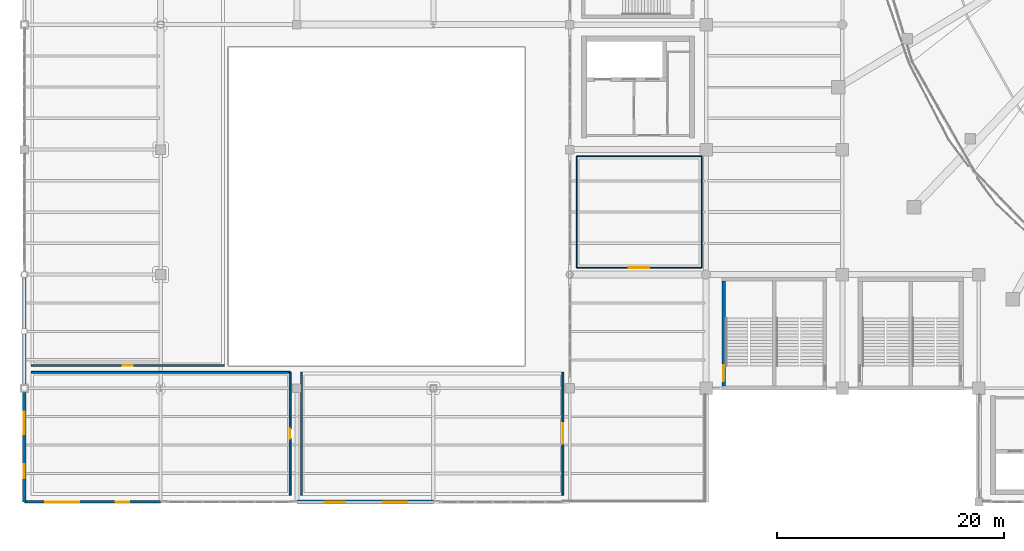
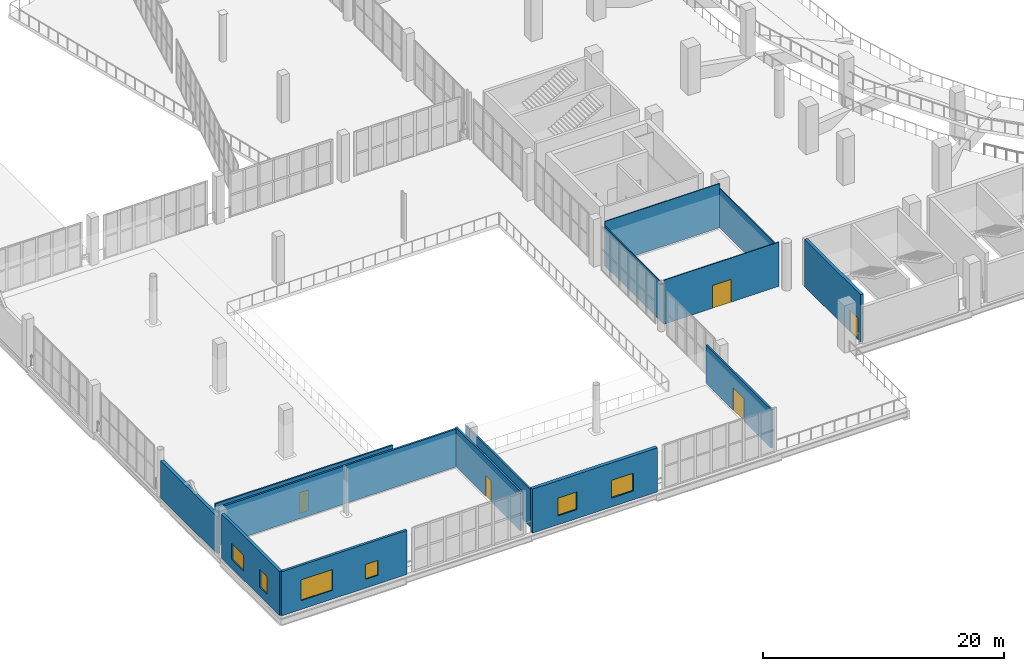
# One storey, part 107 of 136: 14 walls, 6 windows, 5 doors, 11 openings.
"""IFC4 building model written with IfcOpenShell, lengths in metres."""

from ifc_helpers import new_model, si_unit, direction, frame, frame_2d, origin, origin_with_axes, place, context, subcontext, project, spatial, rectangle, extrude, material, layer, layer_set, type_object, element, fill, save


model = new_model("IFC4")

# Units and contexts
model_context = context("Model", 3, precision=1e-05, world=origin(), true_north=direction((0.0, 1.0)))
body_context = subcontext(model_context, "Body", "Model", "MODEL_VIEW")
ifc_project = project(units=[si_unit("LENGTHUNIT", "METRE"), si_unit("AREAUNIT", "SQUARE_METRE"), si_unit("VOLUMEUNIT", "CUBIC_METRE"), si_unit("PLANEANGLEUNIT", "RADIAN"), si_unit("MASSUNIT", "GRAM", prefix="KILO")], contexts=[model_context])

# Site, building, storey
site_placement = place(None, origin())
site = spatial("IfcSite", under=ifc_project, at=site_placement, CompositionType="ELEMENT")
building_placement = place(site_placement, origin())
building = spatial("IfcBuilding", under=site, at=building_placement, Name="Brinegate Civic Arena", CompositionType="ELEMENT")
storey_placement = place(building_placement, frame((0.0, 0.0, 5.39990234375)))
storey = spatial("IfcBuildingStorey", under=building, at=storey_placement, Name="L01", CompositionType="ELEMENT", Elevation=5.39990234375)

# Wall, openings, windows
ifc_material_1 = material(Name="Concrete C40/50", Category="concrete")
ifc_layer_1 = layer(ifc_material_1, 0.239990234375, Name="Concrete C40/50")
ifc_layer_set_1 = layer_set([ifc_layer_1], Name="Concrete C40/50")
wall_type_1 = type_object("IfcWallType", Name="WALL-EXT-CONC-240", PredefinedType="SOLIDWALL", material=ifc_layer_set_1)
wall_1_placement = place(storey_placement, origin_with_axes())
wall_1 = element("IfcWall", 1, at=wall_1_placement, inside=storey, type_object=wall_type_1, Name="Perimeter Window Wall L01-05 (WBA-06)", PredefinedType="SOLIDWALL", context=body_context, shape_type="SweptSolid", body=[
    extrude(rectangle(XDim=12.0, YDim=0.239990234375, at=frame_2d((6.0, 0.0))), origin(), (0.0, 0.0, 1.0), 4.47021484375),
])
opening_1_placement = place(wall_1_placement, frame((1.860107421875, 0.0, 0.89990234375)))
opening_1 = element("IfcOpeningElement", 2, at=opening_1_placement, cuts=wall_1, Name="Opening WN-0009", PredefinedType="OPENING", context=body_context, shape_type="SweptSolid", body=[
    extrude(rectangle(XDim=3.0, YDim=2.10009765625, at=frame_2d((1.5, 1.050048828125))), frame((0.0, 0.1298828125, 0.0), z_axis=(0.0, -1.0, 0.0), x_axis=(1.0, 0.0, 0.0)), (0.0, 0.0, 1.0), 0.260009765625),
])
opening_2_placement = place(wall_1_placement, frame((8.0400390625, 0.0, 0.89990234375)))
opening_2 = element("IfcOpeningElement", 3, at=opening_2_placement, cuts=wall_1, Name="Opening WN-0010", PredefinedType="OPENING", context=body_context, shape_type="SweptSolid", body=[
    extrude(rectangle(XDim=1.199951171875, YDim=1.5, at=frame_2d((0.60009765625, 0.75))), frame((0.0, 0.1298828125, 0.0), z_axis=(0.0, -1.0, 0.0), x_axis=(1.0, 0.0, 0.0)), (0.0, 0.0, 1.0), 0.260009765625),
])
ifc_material_2 = material(Name="Hurricane laminated low-E glass", Category="glass")
window_type_1 = type_object("IfcWindowType", Name="WIN-CASEMENT-1200X1500", PartitioningType="SINGLE_PANEL", PredefinedType="WINDOW", material=ifc_material_2)
window_1_placement = place(opening_2_placement, origin())
window_1 = element("IfcWindow", 4, at=window_1_placement, inside=storey, type_object=window_type_1, Name="Window WN-0010", OverallHeight=1.5, OverallWidth=1.199951171875, PartitioningType="SINGLE_PANEL", PredefinedType="WINDOW", context=body_context, shape_type="SweptSolid", body=[
    extrude(rectangle(XDim=1.199951171875, YDim=1.5, at=frame_2d((0.60009765625, 0.75))), frame((0.0, 0.030029296875, 0.0), z_axis=(0.0, -1.0, 0.0), x_axis=(1.0, 0.0, 0.0)), (0.0, 0.0, 1.0), 0.06005859375),
])
fill(opening_2, window_1)
window_type_2 = type_object("IfcWindowType", Name="WIN-CASEMENT-3000X2100", PartitioningType="SINGLE_PANEL", PredefinedType="WINDOW", material=ifc_material_2)
window_2_placement = place(opening_1_placement, origin())
window_2 = element("IfcWindow", 5, at=window_2_placement, inside=storey, type_object=window_type_2, Name="Window WN-0009", OverallHeight=2.10009765625, OverallWidth=3.0, PartitioningType="SINGLE_PANEL", PredefinedType="WINDOW", context=body_context, shape_type="SweptSolid", body=[
    extrude(rectangle(XDim=3.0, YDim=2.10009765625, at=frame_2d((1.5, 1.050048828125))), frame((0.0, 0.030029296875, 0.0), z_axis=(0.0, -1.0, 0.0), x_axis=(1.0, 0.0, 0.0)), (0.0, 0.0, 1.0), 0.06005859375),
])
fill(opening_1, window_2)

ifc_material_3 = material(Name="Precast concrete C45/55", Category="concrete")
ifc_layer_2 = layer(ifc_material_3, 0.284912109375, Name="Precast concrete C45/55")
ifc_layer_set_2 = layer_set([ifc_layer_2], Name="Precast concrete C45/55")
wall_type_2 = type_object("IfcWallType", Name="WALL-EXT-PRECAST-285", PredefinedType="SOLIDWALL", material=ifc_layer_set_2)
wall_2_placement = place(storey_placement, frame((0.0, 0.0, 0.0), z_axis=(0.0, 0.0, 1.0), x_axis=(0.0, 1.0, 0.0)))
wall_2 = element("IfcWall", 6, at=wall_2_placement, inside=storey, type_object=wall_type_2, Name="Perimeter Window Wall L01-06 (WBA-07)", PredefinedType="SOLIDWALL", context=body_context, shape_type="SweptSolid", body=[
    extrude(rectangle(XDim=9.639892578125, YDim=0.284912109375, at=frame_2d((4.81982421875, 0.0))), origin(), (0.0, 0.0, 1.0), 4.47021484375),
])
opening_3_placement = place(wall_2_placement, frame((2.09912109375, 0.0, 0.89990234375)))
opening_3 = element("IfcOpeningElement", 7, at=opening_3_placement, cuts=wall_2, Name="Opening WN-0011", PredefinedType="OPENING", context=body_context, shape_type="SweptSolid", body=[
    extrude(rectangle(XDim=1.199951171875, YDim=1.800048828125, at=frame_2d((0.60009765625, 0.89990234375))), frame((0.0, 0.15234375, 0.0), z_axis=(0.0, -1.0, 0.0), x_axis=(1.0, 0.0, 0.0)), (0.0, 0.0, 1.0), 0.304931640625),
])
opening_4_placement = place(wall_2_placement, frame((5.94091796875, 0.0, 0.89990234375)))
opening_4 = element("IfcOpeningElement", 8, at=opening_4_placement, cuts=wall_2, Name="Opening WN-0012", PredefinedType="OPENING", context=body_context, shape_type="SweptSolid", body=[
    extrude(rectangle(XDim=2.0, YDim=1.60009765625, at=frame_2d((1.0, 0.800048828125))), frame((0.0, 0.15234375, 0.0), z_axis=(0.0, -1.0, 0.0), x_axis=(1.0, 0.0, 0.0)), (0.0, 0.0, 1.0), 0.304931640625),
])
window_type_3 = type_object("IfcWindowType", Name="WIN-CASEMENT-1200X1800", PartitioningType="SINGLE_PANEL", PredefinedType="WINDOW", material=ifc_material_2)
window_3_placement = place(opening_3_placement, origin())
window_3 = element("IfcWindow", 9, at=window_3_placement, inside=storey, type_object=window_type_3, Name="Window WN-0011", OverallHeight=1.800048828125, OverallWidth=1.199951171875, PartitioningType="SINGLE_PANEL", PredefinedType="WINDOW", context=body_context, shape_type="SweptSolid", body=[
    extrude(rectangle(XDim=1.199951171875, YDim=1.800048828125, at=frame_2d((0.60009765625, 0.89990234375))), frame((0.0, 0.030029296875, 0.0), z_axis=(0.0, -1.0, 0.0), x_axis=(1.0, 0.0, 0.0)), (0.0, 0.0, 1.0), 0.06005859375),
])
fill(opening_3, window_3)
window_type_4 = type_object("IfcWindowType", Name="WIN-CASEMENT-2000X1600", PartitioningType="SINGLE_PANEL", PredefinedType="WINDOW", material=ifc_material_2)
window_4_placement = place(opening_4_placement, origin())
window_4 = element("IfcWindow", 10, at=window_4_placement, inside=storey, type_object=window_type_4, Name="Window WN-0012", OverallHeight=1.60009765625, OverallWidth=2.0, PartitioningType="SINGLE_PANEL", PredefinedType="WINDOW", context=body_context, shape_type="SweptSolid", body=[
    extrude(rectangle(XDim=2.0, YDim=1.60009765625, at=frame_2d((1.0, 0.800048828125))), frame((0.0, 0.030029296875, 0.0), z_axis=(0.0, -1.0, 0.0), x_axis=(1.0, 0.0, 0.0)), (0.0, 0.0, 1.0), 0.06005859375),
])
fill(opening_4, window_4)

# Wall
ifc_layer_3 = layer(ifc_material_3, 0.31494140625, Name="Precast concrete C45/55")
ifc_layer_set_3 = layer_set([ifc_layer_3], Name="Precast concrete C45/55")
wall_type_3 = type_object("IfcWallType", Name="WALL-EXT-PRECAST-315", PredefinedType="SOLIDWALL", material=ifc_layer_set_3)
wall_3_placement = place(storey_placement, frame((0.0, 10.360107421875, 0.0), z_axis=(0.0, 0.0, 1.0), x_axis=(0.0, 1.0, 0.0)))
element("IfcWall", 11, at=wall_3_placement, inside=storey, type_object=wall_type_3, Name="Braced Bay Solid Precast Wall L01-01 (WBA-42)", PredefinedType="SOLIDWALL", context=body_context, shape_type="SweptSolid", body=[
    extrude(rectangle(XDim=9.349853515625, YDim=0.31494140625, at=frame_2d((4.6748046875, 0.0))), origin(), (0.0, 0.0, 1.0), 3.757080078125),
])

# Wall, openings, windows
ifc_layer_4 = layer(ifc_material_3, 0.330078125, Name="Precast concrete C45/55")
ifc_layer_set_4 = layer_set([ifc_layer_4], Name="Precast concrete C45/55")
wall_type_4 = type_object("IfcWallType", Name="WALL-EXT-PRECAST-330", PredefinedType="SOLIDWALL", material=ifc_layer_set_4)
wall_4_placement = place(storey_placement, frame((24.0, 0.0, 0.0), z_axis=(0.0, 0.0, 1.0), x_axis=(1.0, 0.0, 0.0)))
wall_4 = element("IfcWall", 12, at=wall_4_placement, inside=storey, type_object=wall_type_4, Name="Perimeter Window Wall L01-02 (WBA-03)", PredefinedType="SOLIDWALL", context=body_context, shape_type="SweptSolid", body=[
    extrude(rectangle(XDim=12.0, YDim=0.330078125, at=frame_2d((6.0, 0.0))), origin(), (0.0, 0.0, 1.0), 4.47021484375),
])
opening_5_placement = place(wall_4_placement, frame((2.4599609375, 0.0, 0.89990234375)))
opening_5 = element("IfcOpeningElement", 13, at=opening_5_placement, cuts=wall_4, Name="Opening WN-0003", PredefinedType="OPENING", context=body_context, shape_type="SweptSolid", body=[
    extrude(rectangle(XDim=1.800048828125, YDim=1.800048828125, at=frame_2d((0.89990234375, 0.89990234375))), frame((0.0, 0.175048828125, 0.0), z_axis=(0.0, -1.0, 0.0), x_axis=(1.0, 0.0, 0.0)), (0.0, 0.0, 1.0), 0.35009765625),
])
opening_6_placement = place(wall_4_placement, frame((7.590087890625, 0.0, 0.89990234375)))
opening_6 = element("IfcOpeningElement", 14, at=opening_6_placement, cuts=wall_4, Name="Opening WN-0004", PredefinedType="OPENING", context=body_context, shape_type="SweptSolid", body=[
    extrude(rectangle(XDim=2.10009765625, YDim=1.800048828125, at=frame_2d((1.050048828125, 0.89990234375))), frame((0.0, 0.175048828125, 0.0), z_axis=(0.0, -1.0, 0.0), x_axis=(1.0, 0.0, 0.0)), (0.0, 0.0, 1.0), 0.35009765625),
])
window_type_5 = type_object("IfcWindowType", Name="WIN-CASEMENT-1800X1800", PartitioningType="SINGLE_PANEL", PredefinedType="WINDOW", material=ifc_material_2)
window_5_placement = place(opening_5_placement, origin())
window_5 = element("IfcWindow", 15, at=window_5_placement, inside=storey, type_object=window_type_5, Name="Window WN-0003", OverallHeight=1.800048828125, OverallWidth=1.800048828125, PartitioningType="SINGLE_PANEL", PredefinedType="WINDOW", context=body_context, shape_type="SweptSolid", body=[
    extrude(rectangle(XDim=1.800048828125, YDim=1.800048828125, at=frame_2d((0.89990234375, 0.89990234375))), frame((0.0, 0.030029296875, 0.0), z_axis=(0.0, -1.0, 0.0), x_axis=(1.0, 0.0, 0.0)), (0.0, 0.0, 1.0), 0.06005859375),
])
fill(opening_5, window_5)
window_type_6 = type_object("IfcWindowType", Name="WIN-CASEMENT-2100X1800", PartitioningType="SINGLE_PANEL", PredefinedType="WINDOW", material=ifc_material_2)
window_6_placement = place(opening_6_placement, origin())
window_6 = element("IfcWindow", 16, at=window_6_placement, inside=storey, type_object=window_type_6, Name="Window WN-0004", OverallHeight=1.800048828125, OverallWidth=2.10009765625, PartitioningType="SINGLE_PANEL", PredefinedType="WINDOW", context=body_context, shape_type="SweptSolid", body=[
    extrude(rectangle(XDim=2.10009765625, YDim=1.800048828125, at=frame_2d((1.050048828125, 0.89990234375))), frame((0.0, 0.030029296875, 0.0), z_axis=(0.0, -1.0, 0.0), x_axis=(1.0, 0.0, 0.0)), (0.0, 0.0, 1.0), 0.06005859375),
])
fill(opening_6, window_6)

# Wall
ifc_material_4 = material(Name="Fire-rated gypsum partition assembly")
ifc_layer_5 = layer(ifc_material_4, 0.090087890625, Name="Fire-rated gypsum partition assembly")
ifc_layer_set_5 = layer_set([ifc_layer_5], Name="Fire-rated gypsum partition assembly")
wall_type_5 = type_object("IfcWallType", Name="WALL-PART-LIGHT-090", PredefinedType="PARTITIONING", material=ifc_layer_set_5)
wall_5_placement = place(storey_placement, frame((59.60009765625, 30.39990234375, 0.0), z_axis=(0.0, 0.0, 1.0), x_axis=(0.0, -1.0, 0.0)))
element("IfcWall", 17, at=wall_5_placement, inside=storey, type_object=wall_type_5, Name="South-East Concourse Food Market Partition Wall E1 (WBJ-03)", PredefinedType="PARTITIONING", context=body_context, shape_type="SweptSolid", body=[
    extrude(rectangle(XDim=9.7998046875, YDim=0.090087890625, at=frame_2d((4.89990234375, 0.0))), origin(), (0.0, 0.0, 1.0), 3.989990234375),
])

# Wall, opening, door
wall_6_placement = place(storey_placement, frame((59.60009765625, 20.60009765625, 0.0), z_axis=(0.0, 0.0, 1.0), x_axis=(-1.0, 0.0, 0.0)))
wall_6 = element("IfcWall", 18, at=wall_6_placement, inside=storey, type_object=wall_type_5, Name="South-East Concourse Food Market Partition Wall E2 (WBJ-04)", PredefinedType="PARTITIONING", context=body_context, shape_type="SweptSolid", body=[
    extrude(rectangle(XDim=11.0, YDim=0.090087890625, at=frame_2d((5.5, 0.0))), origin(), (0.0, 0.0, 1.0), 4.47021484375),
])
opening_7_placement = place(wall_6_placement, frame((4.60009765625, 0.0, 0.0)))
opening_7 = element("IfcOpeningElement", 19, at=opening_7_placement, cuts=wall_6, Name="Opening D-L01-176", PredefinedType="OPENING", context=body_context, shape_type="SweptSolid", body=[
    extrude(rectangle(XDim=1.800048828125, YDim=2.300048828125, at=frame_2d((0.89990234375, 1.14990234375))), frame((0.0, 0.054931640625, 0.0), z_axis=(0.0, -1.0, 0.0), x_axis=(1.0, 0.0, 0.0)), (0.0, 0.0, 1.0), 0.110107421875),
])
ifc_material_5 = material(Name="Marine grade aluminium", Category="aluminium")
door_type_1 = type_object("IfcDoorType", Name="DOOR-CONC-1800X2300", OperationType="NOTDEFINED", PredefinedType="DOOR", material=ifc_material_5)
door_1_placement = place(opening_7_placement, origin())
door_1 = element("IfcDoor", 20, at=door_1_placement, inside=storey, type_object=door_type_1, Name="South-East Concourse Food Market Door D-L01-176", OperationType="DOUBLE_DOOR_SINGLE_SWING", OverallHeight=2.300048828125, OverallWidth=1.800048828125, PredefinedType="DOOR", context=body_context, shape_type="SweptSolid", body=[
    extrude(rectangle(XDim=1.800048828125, YDim=2.300048828125, at=frame_2d((0.89990234375, 1.14990234375))), frame((0.0, 0.02490234375, 0.0), z_axis=(0.0, -1.0, 0.0), x_axis=(1.0, 0.0, 0.0)), (0.0, 0.0, 1.0), 0.050048828125),
])
fill(opening_7, door_1)

# Walls
wall_7_placement = place(storey_placement, frame((48.60009765625, 20.60009765625, 0.0), z_axis=(0.0, 0.0, 1.0), x_axis=(0.0, 1.0, 0.0)))
element("IfcWall", 21, at=wall_7_placement, inside=storey, type_object=wall_type_5, Name="South-East Concourse Food Market Partition Wall E3 (WBJ-05)", PredefinedType="PARTITIONING", context=body_context, shape_type="SweptSolid", body=[
    extrude(rectangle(XDim=9.7998046875, YDim=0.090087890625, at=frame_2d((4.89990234375, 0.0))), origin(), (0.0, 0.0, 1.0), 3.989990234375),
])
wall_8_placement = place(storey_placement, frame((48.60009765625, 30.39990234375, 0.0), z_axis=(0.0, 0.0, 1.0), x_axis=(1.0, 0.0, 0.0)))
element("IfcWall", 22, at=wall_8_placement, inside=storey, type_object=wall_type_5, Name="South-East Concourse Food Market Partition Wall E4 (WBJ-06)", PredefinedType="PARTITIONING", context=body_context, shape_type="SweptSolid", body=[
    extrude(rectangle(XDim=11.0, YDim=0.090087890625, at=frame_2d((5.5, 0.0))), origin(), (0.0, 0.0, 1.0), 4.47021484375),
])

# Wall, opening, door
ifc_layer_6 = layer(ifc_material_4, 0.159912109375, Name="Fire-rated gypsum partition assembly")
ifc_layer_set_6 = layer_set([ifc_layer_6], Name="Fire-rated gypsum partition assembly")
wall_type_6 = type_object("IfcWallType", Name="WALL-PART-RATED-160", PredefinedType="PARTITIONING", material=ifc_layer_set_6)
wall_9_placement = place(storey_placement, frame((47.39990234375, 11.39990234375, 0.0), z_axis=(0.0, 0.0, 1.0), x_axis=(0.0, -1.0, 0.0)))
wall_9 = element("IfcWall", 23, at=wall_9_placement, inside=storey, type_object=wall_type_6, Name="Harbour Terrace Cafe and Bakery Partition Wall E1 (WBI-90)", PredefinedType="PARTITIONING", context=body_context, shape_type="SweptSolid", body=[
    extrude(rectangle(XDim=10.7998046875, YDim=0.159912109375, at=frame_2d((5.39990234375, 0.0))), origin(), (0.0, 0.0, 1.0), 3.906005859375),
])
opening_8_placement = place(wall_9_placement, frame((4.5, 0.0, 0.0)))
opening_8 = element("IfcOpeningElement", 24, at=opening_8_placement, cuts=wall_9, Name="Opening D-L01-171", PredefinedType="OPENING", context=body_context, shape_type="SweptSolid", body=[
    extrude(rectangle(XDim=1.800048828125, YDim=2.300048828125, at=frame_2d((0.89990234375, 1.14990234375))), frame((0.0, 0.08984375, 0.0), z_axis=(0.0, -1.0, 0.0), x_axis=(1.0, 0.0, 0.0)), (0.0, 0.0, 1.0), 0.179931640625),
])
door_2_placement = place(opening_8_placement, origin())
door_2 = element("IfcDoor", 25, at=door_2_placement, inside=storey, type_object=door_type_1, Name="Harbour Terrace Cafe and Bakery Door D-L01-171", OperationType="DOUBLE_DOOR_SINGLE_SWING", OverallHeight=2.300048828125, OverallWidth=1.800048828125, PredefinedType="DOOR", context=body_context, shape_type="SweptSolid", body=[
    extrude(rectangle(XDim=1.800048828125, YDim=2.300048828125, at=frame_2d((0.89990234375, 1.14990234375))), frame((0.0, 0.02490234375, 0.0), z_axis=(0.0, -1.0, 0.0), x_axis=(1.0, 0.0, 0.0)), (0.0, 0.0, 1.0), 0.050048828125),
])
fill(opening_8, door_2)

# Wall
wall_10_placement = place(storey_placement, frame((24.39990234375, 0.60009765625, 0.0), z_axis=(0.0, 0.0, 1.0), x_axis=(0.0, 1.0, 0.0)))
element("IfcWall", 26, at=wall_10_placement, inside=storey, type_object=wall_type_6, Name="Harbour Terrace Cafe and Bakery Partition Wall E3 (WBI-91)", PredefinedType="PARTITIONING", context=body_context, shape_type="SweptSolid", body=[
    extrude(rectangle(XDim=10.7998046875, YDim=0.159912109375, at=frame_2d((5.39990234375, 0.0))), origin(), (0.0, 0.0, 1.0), 3.757080078125),
])

# Wall, opening, door
ifc_layer_7 = layer(ifc_material_4, 0.175048828125, Name="Fire-rated gypsum partition assembly")
ifc_layer_set_7 = layer_set([ifc_layer_7], Name="Fire-rated gypsum partition assembly")
wall_type_7 = type_object("IfcWallType", Name="WALL-PART-RATED-175", PredefinedType="PARTITIONING", material=ifc_layer_set_7)
wall_11_placement = place(storey_placement, frame((23.39990234375, 11.39990234375, 0.0), z_axis=(0.0, 0.0, 1.0), x_axis=(0.0, -1.0, 0.0)))
wall_11 = element("IfcWall", 27, at=wall_11_placement, inside=storey, type_object=wall_type_7, Name="Arena Flagship Merchandise Retail Hall Partition Wall E1 (WBI-88)", PredefinedType="PARTITIONING", context=body_context, shape_type="SweptSolid", body=[
    extrude(rectangle(XDim=10.7998046875, YDim=0.175048828125, at=frame_2d((5.39990234375, 0.0))), origin(), (0.0, 0.0, 1.0), 3.984130859375),
])
opening_9_placement = place(wall_11_placement, frame((4.949951171875, 0.0, 0.0)))
opening_9 = element("IfcOpeningElement", 28, at=opening_9_placement, cuts=wall_11, Name="Opening D-L01-170", PredefinedType="OPENING", context=body_context, shape_type="SweptSolid", body=[
    extrude(rectangle(XDim=0.89990234375, YDim=2.10009765625, at=frame_2d((0.449951171875, 1.050048828125))), frame((0.0, 0.097412109375, 0.0), z_axis=(0.0, -1.0, 0.0), x_axis=(1.0, 0.0, 0.0)), (0.0, 0.0, 1.0), 0.195068359375),
])
ifc_material_6 = material(Name="Hardwood acoustic timber door", Category="wood")
door_type_2 = type_object("IfcDoorType", Name="DOOR-WC-900X2100", OperationType="NOTDEFINED", PredefinedType="DOOR", material=ifc_material_6)
door_3_placement = place(opening_9_placement, origin())
door_3 = element("IfcDoor", 29, at=door_3_placement, inside=storey, type_object=door_type_2, Name="Arena Flagship Merchandise Retail Hall Door D-L01-170", OperationType="SINGLE_SWING_RIGHT", OverallHeight=2.10009765625, OverallWidth=0.89990234375, PredefinedType="DOOR", context=body_context, shape_type="SweptSolid", body=[
    extrude(rectangle(XDim=0.89990234375, YDim=2.10009765625, at=frame_2d((0.449951171875, 1.050048828125))), frame((0.0, 0.02490234375, 0.0), z_axis=(0.0, -1.0, 0.0), x_axis=(1.0, 0.0, 0.0)), (0.0, 0.0, 1.0), 0.050048828125),
])
fill(opening_9, door_3)

# Wall
wall_12_placement = place(storey_placement, frame((0.60009765625, 11.39990234375, 0.0), z_axis=(0.0, 0.0, 1.0), x_axis=(1.0, 0.0, 0.0)))
element("IfcWall", 30, at=wall_12_placement, inside=storey, type_object=wall_type_7, Name="Arena Flagship Merchandise Retail Hall Partition Wall E4 (WBI-89)", PredefinedType="PARTITIONING", context=body_context, shape_type="SweptSolid", body=[
    extrude(rectangle(XDim=22.7998046875, YDim=0.175048828125, at=frame_2d((11.39990234375, 0.0))), origin(), (0.0, 0.0, 1.0), 3.833984375),
])

# Wall, opening, door
ifc_layer_8 = layer(ifc_material_4, 0.14501953125, Name="Fire-rated gypsum partition assembly")
ifc_layer_set_8 = layer_set([ifc_layer_8], Name="Fire-rated gypsum partition assembly")
wall_type_8 = type_object("IfcWallType", Name="WALL-PART-SUITE-145", PredefinedType="PARTITIONING", material=ifc_layer_set_8)
wall_13_placement = place(storey_placement, frame((17.60009765625, 12.0, 0.0), z_axis=(0.0, 0.0, 1.0), x_axis=(-1.0, 0.0, 0.0)))
wall_13 = element("IfcWall", 31, at=wall_13_placement, inside=storey, type_object=wall_type_8, Name="Community Hall Spectator Gallery Partition Wall E2 (WBI-92)", PredefinedType="PARTITIONING", context=body_context, shape_type="SweptSolid", body=[
    extrude(rectangle(XDim=17.0, YDim=0.14501953125, at=frame_2d((8.5, 0.0))), origin(), (0.0, 0.0, 1.0), 3.833984375),
])
opening_10_placement = place(wall_13_placement, frame((8.050048828125, 0.0, 0.0)))
opening_10 = element("IfcOpeningElement", 32, at=opening_10_placement, cuts=wall_13, Name="Opening D-L01-172", PredefinedType="OPENING", context=body_context, shape_type="SweptSolid", body=[
    extrude(rectangle(XDim=0.89990234375, YDim=2.10009765625, at=frame_2d((0.449951171875, 1.050048828125))), frame((0.0, 0.08251953125, 0.0), z_axis=(0.0, -1.0, 0.0), x_axis=(1.0, 0.0, 0.0)), (0.0, 0.0, 1.0), 0.1650390625),
])
door_4_placement = place(opening_10_placement, origin())
door_4 = element("IfcDoor", 33, at=door_4_placement, inside=storey, type_object=door_type_2, Name="Community Hall Spectator Gallery Door D-L01-172", OperationType="SINGLE_SWING_LEFT", OverallHeight=2.10009765625, OverallWidth=0.89990234375, PredefinedType="DOOR", context=body_context, shape_type="SweptSolid", body=[
    extrude(rectangle(XDim=0.89990234375, YDim=2.10009765625, at=frame_2d((0.449951171875, 1.050048828125))), frame((0.0, 0.02490234375, 0.0), z_axis=(0.0, -1.0, 0.0), x_axis=(1.0, 0.0, 0.0)), (0.0, 0.0, 1.0), 0.050048828125),
])
fill(opening_10, door_4)

ifc_material_7 = material(Name="Concrete C50/60", Category="concrete")
ifc_layer_9 = layer(ifc_material_7, 0.2900390625, Name="Concrete C50/60")
ifc_layer_set_9 = layer_set([ifc_layer_9], Name="Concrete C50/60")
wall_type_9 = type_object("IfcWallType", Name="WALL-STAIR-SHEAR-290", PredefinedType="SHEAR", material=ifc_layer_set_9)
wall_14_placement = place(storey_placement, frame((61.550048828125, 10.175048828125, 0.0), z_axis=(0.0, 0.0, 1.0), x_axis=(0.0, 1.0, 0.0)))
wall_14 = element("IfcWall", 34, at=wall_14_placement, inside=storey, type_object=wall_type_9, Name="Stair ST-02 West Shear Wall L01 (WBB-39)", PredefinedType="SHEAR", context=body_context, shape_type="SweptSolid", body=[
    extrude(rectangle(XDim=9.280029296875, YDim=0.2900390625, at=frame_2d((4.64013671875, 0.0))), origin(), (0.0, 0.0, 1.0), 4.800048828125),
])
opening_11_placement = place(wall_14_placement, frame((0.425048828125, 0.0, 0.0)))
opening_11 = element("IfcOpeningElement", 35, at=opening_11_placement, cuts=wall_14, Name="Opening D-ST02A-L01", PredefinedType="OPENING", context=body_context, shape_type="SweptSolid", body=[
    extrude(rectangle(XDim=1.39990234375, YDim=2.199951171875, at=frame_2d((0.699951171875, 1.10009765625))), frame((0.0, 0.155029296875, 0.0), z_axis=(0.0, -1.0, 0.0), x_axis=(1.0, 0.0, 0.0)), (0.0, 0.0, 1.0), 0.31005859375),
])
ifc_material_8 = material(Name="Galvanized hurricane steel", Category="steel")
door_type_3 = type_object("IfcDoorType", Name="DOOR-STAIR-2400X2200", OperationType="NOTDEFINED", PredefinedType="DOOR", material=ifc_material_8)
door_5_placement = place(opening_11_placement, frame((1.39990234375, 0.0, 0.0), z_axis=(0.0, 0.0, 1.0), x_axis=(-1.0, 0.0, 0.0)))
door_5 = element("IfcDoor", 36, at=door_5_placement, inside=storey, type_object=door_type_3, Name="Protected Exit Stair Door D-ST02A-L01", OperationType="DOUBLE_DOOR_SINGLE_SWING", OverallHeight=2.199951171875, OverallWidth=1.39990234375, PredefinedType="DOOR", context=body_context, shape_type="SweptSolid", body=[
    extrude(rectangle(XDim=1.39990234375, YDim=2.199951171875, at=frame_2d((0.699951171875, 1.10009765625))), frame((0.0, 0.02490234375, 0.0), z_axis=(0.0, -1.0, 0.0), x_axis=(1.0, 0.0, 0.0)), (0.0, 0.0, 1.0), 0.050048828125),
])
fill(opening_11, door_5)

save(model, "model.ifc")
